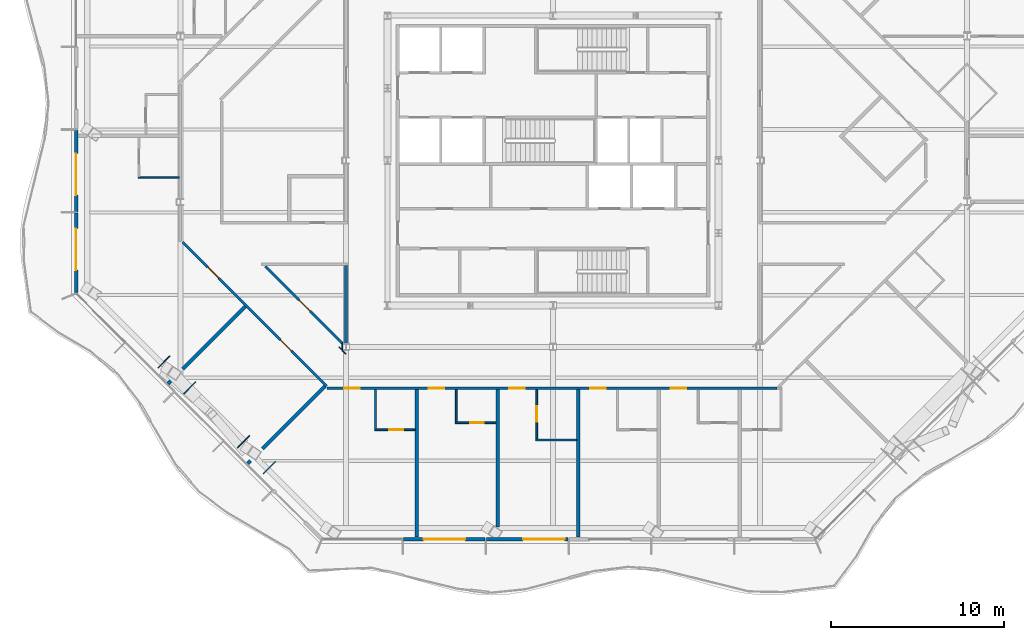
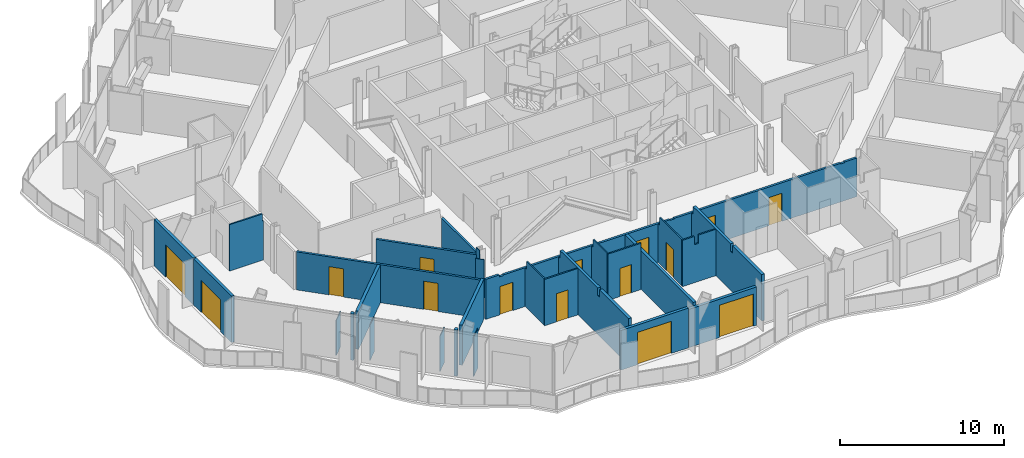
# One storey, part 7 of 21: 28 walls, 15 doors, 15 openings.
"""IFC4 building model written with IfcOpenShell, lengths in metres."""

from ifc_helpers import new_model, si_unit, direction, frame, frame_2d, origin, place, context, subcontext, project, spatial, polyline, rectangle, outline, extrude, material, layer, layer_set, type_object, element, fill, save


model = new_model("IFC4")

# Units and contexts
model_context = context("Model", 3, precision=1e-05, world=origin(), true_north=direction((0.0, 1.0)))
body_context = subcontext(model_context, "Body", "Model", "MODEL_VIEW")
ifc_project = project(units=[si_unit("LENGTHUNIT", "METRE"), si_unit("AREAUNIT", "SQUARE_METRE"), si_unit("VOLUMEUNIT", "CUBIC_METRE"), si_unit("PLANEANGLEUNIT", "RADIAN"), si_unit("MASSUNIT", "GRAM", prefix="KILO")], contexts=[model_context])

# Site, building, storey
site_placement = place(None, origin())
site = spatial("IfcSite", under=ifc_project, at=site_placement, CompositionType="ELEMENT")
building_placement = place(site_placement, origin())
building = spatial("IfcBuilding", under=site, at=building_placement, Name="Cairn Pilgrim Tower", CompositionType="ELEMENT")
storey_placement = place(building_placement, frame((0.0, 0.0, 179.39990234375)))
storey = spatial("IfcBuildingStorey", under=building, at=storey_placement, Name="L45", CompositionType="ELEMENT", Elevation=179.39990234375)

# Wall, opening, door
ifc_material_1 = material(Name="Bronze anodised aluminium insulated sandwich panel with mineral wool fill", Category="aluminium")
ifc_layer_1 = layer(ifc_material_1, 0.199951171875)
ifc_layer_set_1 = layer_set([ifc_layer_1], Name="BRONZE INFILL FRAME WALL 200")
wall_type_1 = type_object("IfcWallType", Name="BRONZE INFILL FRAME WALL 200", PredefinedType="NOTDEFINED", material=ifc_layer_set_1)
wall_1_placement = place(storey_placement, frame((-1.469970703125, -19.550048828125, 0.0), z_axis=(0.0, 0.0, 1.0), x_axis=(1.0, 0.0, 0.0)))
wall_1 = element("IfcWall", 1, at=wall_1_placement, inside=storey, type_object=wall_type_1, Name="Bronze infill frame wall IW-S2", PredefinedType="NOTDEFINED", context=body_context, shape_type="SweptSolid", body=[
    extrude(rectangle(XDim=4.739990234375, YDim=0.199951171875, at=frame_2d((2.3701171875, 0.0))), origin(), (0.0, 0.0, 1.0), 2.9501953125),
])
opening_1_placement = place(wall_1_placement, frame((1.169921875, 0.0, 0.0)))
opening_1 = element("IfcOpeningElement", 2, at=opening_1_placement, cuts=wall_1, Name="Opening 4518B", PredefinedType="OPENING", context=body_context, shape_type="SweptSolid", body=[
    extrude(rectangle(XDim=2.39990234375, YDim=2.39990234375, at=frame_2d((1.199951171875, 1.199951171875))), frame((0.0, 0.10986328125, 0.0), z_axis=(0.0, -1.0, 0.0), x_axis=(1.0, 0.0, 0.0)), (0.0, 0.0, 1.0), 0.219970703125),
])
ifc_material_2 = material(Name="Bronze anodised aluminium frame with tinted low-E glass", Category="aluminium")
door_type_1 = type_object("IfcDoorType", Name="BALCONY SLIDING DOOR 2400x2400", OperationType="DOUBLE_DOOR_SLIDING", PredefinedType="DOOR", material=ifc_material_2)
door_1_placement = place(opening_1_placement, origin())
door_1 = element("IfcDoor", 3, at=door_1_placement, inside=storey, type_object=door_type_1, Name="Balcony sliding door 4518B", OperationType="SINGLE_SWING_LEFT", OverallHeight=2.39990234375, OverallWidth=2.39990234375, PredefinedType="DOOR", context=body_context, shape_type="SweptSolid", body=[
    extrude(rectangle(XDim=2.39990234375, YDim=2.39990234375, at=frame_2d((1.199951171875, 1.199951171875))), frame((0.0, 0.02490234375, 0.0), z_axis=(0.0, -1.0, 0.0), x_axis=(1.0, 0.0, 0.0)), (0.0, 0.0, 1.0), 0.050048828125),
])
fill(opening_1, door_1)

wall_2_placement = place(storey_placement, frame((3.330078125, -19.550048828125, 0.0), z_axis=(0.0, 0.0, 1.0), x_axis=(1.0, 0.0, 0.0)))
wall_2 = element("IfcWall", 4, at=wall_2_placement, inside=storey, type_object=wall_type_1, Name="Bronze infill frame wall IW-S3", PredefinedType="NOTDEFINED", context=body_context, shape_type="SweptSolid", body=[
    extrude(rectangle(XDim=4.739990234375, YDim=0.199951171875, at=frame_2d((2.3701171875, 0.0))), origin(), (0.0, 0.0, 1.0), 2.85009765625),
])
opening_2_placement = place(wall_2_placement, frame((2.139892578125, 0.0, 0.0)))
opening_2 = element("IfcOpeningElement", 5, at=opening_2_placement, cuts=wall_2, Name="Opening 4519B", PredefinedType="OPENING", context=body_context, shape_type="SweptSolid", body=[
    extrude(rectangle(XDim=2.39990234375, YDim=2.39990234375, at=frame_2d((1.199951171875, 1.199951171875))), frame((0.0, 0.10986328125, 0.0), z_axis=(0.0, -1.0, 0.0), x_axis=(1.0, 0.0, 0.0)), (0.0, 0.0, 1.0), 0.219970703125),
])
door_2_placement = place(opening_2_placement, origin())
door_2 = element("IfcDoor", 6, at=door_2_placement, inside=storey, type_object=door_type_1, Name="Balcony sliding door 4519B", OperationType="SINGLE_SWING_LEFT", OverallHeight=2.39990234375, OverallWidth=2.39990234375, PredefinedType="DOOR", context=body_context, shape_type="SweptSolid", body=[
    extrude(rectangle(XDim=2.39990234375, YDim=2.39990234375, at=frame_2d((1.199951171875, 1.199951171875))), frame((0.0, 0.02490234375, 0.0), z_axis=(0.0, -1.0, 0.0), x_axis=(1.0, 0.0, 0.0)), (0.0, 0.0, 1.0), 0.050048828125),
])
fill(opening_2, door_2)

wall_3_placement = place(storey_placement, frame((-20.449951171875, 4.169921875, 0.0), z_axis=(0.0, 0.0, 1.0), x_axis=(0.0, -1.0, 0.0)))
wall_3 = element("IfcWall", 7, at=wall_3_placement, inside=storey, type_object=wall_type_1, Name="Bronze infill frame wall IW-W3", PredefinedType="NOTDEFINED", context=body_context, shape_type="SweptSolid", body=[
    extrude(rectangle(XDim=4.739990234375, YDim=0.199951171875, at=frame_2d((2.3701171875, 0.0))), origin(), (0.0, 0.0, 1.0), 3.4501953125),
])
opening_3_placement = place(wall_3_placement, frame((1.3701171875, 0.0, 0.0)))
opening_3 = element("IfcOpeningElement", 8, at=opening_3_placement, cuts=wall_3, Name="Opening 4515B", PredefinedType="OPENING", context=body_context, shape_type="SweptSolid", body=[
    extrude(rectangle(XDim=2.39990234375, YDim=2.39990234375, at=frame_2d((1.199951171875, 1.199951171875))), frame((0.0, 0.10986328125, 0.0), z_axis=(0.0, -1.0, 0.0), x_axis=(1.0, 0.0, 0.0)), (0.0, 0.0, 1.0), 0.219970703125),
])
door_3_placement = place(opening_3_placement, origin())
door_3 = element("IfcDoor", 9, at=door_3_placement, inside=storey, type_object=door_type_1, Name="Balcony sliding door 4515B", OperationType="SINGLE_SWING_LEFT", OverallHeight=2.39990234375, OverallWidth=2.39990234375, PredefinedType="DOOR", context=body_context, shape_type="SweptSolid", body=[
    extrude(rectangle(XDim=2.39990234375, YDim=2.39990234375, at=frame_2d((1.199951171875, 1.199951171875))), frame((0.0, 0.02490234375, 0.0), z_axis=(0.0, -1.0, 0.0), x_axis=(1.0, 0.0, 0.0)), (0.0, 0.0, 1.0), 0.050048828125),
])
fill(opening_3, door_3)

wall_4_placement = place(storey_placement, frame((-20.449951171875, -0.6298828125, 0.0), z_axis=(0.0, 0.0, 1.0), x_axis=(0.0, -1.0, 0.0)))
wall_4 = element("IfcWall", 10, at=wall_4_placement, inside=storey, type_object=wall_type_1, Name="Bronze infill frame wall IW-W4", PredefinedType="NOTDEFINED", context=body_context, shape_type="SweptSolid", body=[
    extrude(rectangle(XDim=4.62646484375, YDim=0.199951171875, at=frame_2d((2.313232421875, 0.0))), origin(), (0.0, 0.0, 1.0), 3.4501953125),
])
opening_4_placement = place(wall_4_placement, frame((0.91796875, 0.0, 0.0)))
opening_4 = element("IfcOpeningElement", 11, at=opening_4_placement, cuts=wall_4, Name="Opening 4515B2", PredefinedType="OPENING", context=body_context, shape_type="SweptSolid", body=[
    extrude(rectangle(XDim=2.39990234375, YDim=2.39990234375, at=frame_2d((1.199951171875, 1.199951171875))), frame((0.0, 0.10986328125, 0.0), z_axis=(0.0, -1.0, 0.0), x_axis=(1.0, 0.0, 0.0)), (0.0, 0.0, 1.0), 0.219970703125),
])
door_4_placement = place(opening_4_placement, origin())
door_4 = element("IfcDoor", 12, at=door_4_placement, inside=storey, type_object=door_type_1, Name="Balcony sliding door 4515B2", OperationType="SINGLE_SWING_LEFT", OverallHeight=2.39990234375, OverallWidth=2.39990234375, PredefinedType="DOOR", context=body_context, shape_type="SweptSolid", body=[
    extrude(rectangle(XDim=2.39990234375, YDim=2.39990234375, at=frame_2d((1.199951171875, 1.199951171875))), frame((0.0, 0.02490234375, 0.0), z_axis=(0.0, -1.0, 0.0), x_axis=(1.0, 0.0, 0.0)), (0.0, 0.0, 1.0), 0.050048828125),
])
fill(opening_4, door_4)

# Wall
ifc_material_3 = material(Name="Gypsum partition")
ifc_layer_2 = layer(ifc_material_3, 0.10009765625)
ifc_layer_set_2 = layer_set([ifc_layer_2], Name="PARTITION 100 DRYWALL")
wall_type_2 = type_object("IfcWallType", Name="PARTITION 100 DRYWALL", PredefinedType="PARTITIONING", material=ifc_layer_set_2)
wall_5_placement = place(storey_placement, frame((6.2119140625, -13.800048828125, 0.0), z_axis=(0.0, 0.0, 1.0), x_axis=(1.0, 0.0, 0.0)))
element("IfcWall", 13, at=wall_5_placement, inside=storey, type_object=wall_type_2, Name="PARTITION W009", PredefinedType="PARTITIONING", context=body_context, shape_type="SweptSolid", body=[
    extrude(outline(polyline([(0.0, 0.0), (2.35009765625, 0.0), (2.35009765625, 3.4501953125), (1.137939453125, 3.4501953125), (1.135986328125, 2.830078125), (0.837890625, 2.830078125), (0.8359375, 3.4501953125), (0.0, 3.4501953125), (0.0, 0.0)])), frame((0.0, 0.050048828125, 0.0), z_axis=(0.0, -1.0, 0.0), x_axis=(1.0, 0.0, 0.0)), (0.0, 0.0, 1.0), 0.10009765625),
])

# Wall, opening, door
wall_6_placement = place(storey_placement, frame((6.261962890625, -13.75, 0.0), z_axis=(0.0, 0.0, 1.0), x_axis=(0.0, 1.0, 0.0)))
wall_6 = element("IfcWall", 14, at=wall_6_placement, inside=storey, type_object=wall_type_2, Name="PARTITION W010", PredefinedType="PARTITIONING", context=body_context, shape_type="SweptSolid", body=[
    extrude(outline(polyline([(0.0, 0.0), (2.875, 0.0), (2.875, 2.880126953125), (2.695068359375, 2.880126953125), (2.693115234375, 3.4501953125), (0.0, 3.4501953125), (0.0, 0.0)])), frame((0.0, 0.050048828125, 0.0), z_axis=(0.0, -1.0, 0.0), x_axis=(1.0, 0.0, 0.0)), (0.0, 0.0, 1.0), 0.10009765625),
])
opening_5_placement = place(wall_6_placement, frame((1.0, 0.0, 0.0)))
opening_5 = element("IfcOpeningElement", 15, at=opening_5_placement, cuts=wall_6, Name="Opening 4519A", PredefinedType="OPENING", context=body_context, shape_type="SweptSolid", body=[
    extrude(rectangle(XDim=0.89990234375, YDim=2.10009765625, at=frame_2d((0.449951171875, 1.050048828125))), frame((0.0, 0.06005859375, 0.0), z_axis=(0.0, -1.0, 0.0), x_axis=(1.0, 0.0, 0.0)), (0.0, 0.0, 1.0), 0.1201171875),
])
ifc_material_4 = material(Name="Timber door leaf", Category="wood")
door_type_2 = type_object("IfcDoorType", Name="WC DOOR 900x2100", OperationType="NOTDEFINED", PredefinedType="DOOR", material=ifc_material_4)
door_5_placement = place(opening_5_placement, origin())
door_5 = element("IfcDoor", 16, at=door_5_placement, inside=storey, type_object=door_type_2, Name="DOOR 4519A", OperationType="SINGLE_SWING_LEFT", OverallHeight=2.10009765625, OverallWidth=0.89990234375, PredefinedType="DOOR", context=body_context, shape_type="SweptSolid", body=[
    extrude(rectangle(XDim=0.89990234375, YDim=2.10009765625, at=frame_2d((0.449951171875, 1.050048828125))), frame((0.0, 0.02490234375, 0.0), z_axis=(0.0, -1.0, 0.0), x_axis=(1.0, 0.0, 0.0)), (0.0, 0.0, 1.0), 0.050048828125),
])
fill(opening_5, door_5)

wall_7_placement = place(storey_placement, frame((-3.138916015625, -13.199951171875, 0.0), z_axis=(0.0, 0.0, 1.0), x_axis=(1.0, 0.0, 0.0)))
wall_7 = element("IfcWall", 17, at=wall_7_placement, inside=storey, type_object=wall_type_2, Name="PARTITION W011", PredefinedType="PARTITIONING", context=body_context, shape_type="SweptSolid", body=[
    extrude(rectangle(XDim=2.349853515625, YDim=0.10009765625, at=frame_2d((1.1748046875, 0.0))), origin(), (0.0, 0.0, 1.0), 3.4501953125),
])
opening_6_placement = place(wall_7_placement, frame((0.85009765625, 0.0, 0.0)))
opening_6 = element("IfcOpeningElement", 18, at=opening_6_placement, cuts=wall_7, Name="Opening 4517A", PredefinedType="OPENING", context=body_context, shape_type="SweptSolid", body=[
    extrude(rectangle(XDim=0.800048828125, YDim=2.10009765625, at=frame_2d((0.39990234375, 1.050048828125))), frame((0.0, 0.06005859375, 0.0), z_axis=(0.0, -1.0, 0.0), x_axis=(1.0, 0.0, 0.0)), (0.0, 0.0, 1.0), 0.1201171875),
])
door_type_3 = type_object("IfcDoorType", Name="WC DOOR 800x2100", OperationType="NOTDEFINED", PredefinedType="DOOR", material=ifc_material_4)
door_6_placement = place(opening_6_placement, frame((0.800048828125, 0.0, 0.0), z_axis=(0.0, 0.0, 1.0), x_axis=(-1.0, 0.0, 0.0)))
door_6 = element("IfcDoor", 19, at=door_6_placement, inside=storey, type_object=door_type_3, Name="DOOR 4517A", OperationType="SINGLE_SWING_LEFT", OverallHeight=2.10009765625, OverallWidth=0.800048828125, PredefinedType="DOOR", context=body_context, shape_type="SweptSolid", body=[
    extrude(rectangle(XDim=0.800048828125, YDim=2.10009765625, at=frame_2d((0.39990234375, 1.050048828125))), frame((0.0, 0.02490234375, 0.0), z_axis=(0.0, -1.0, 0.0), x_axis=(1.0, 0.0, 0.0)), (0.0, 0.0, 1.0), 0.050048828125),
])
fill(opening_6, door_6)

# Wall
wall_8_placement = place(storey_placement, frame((-3.089111328125, -13.14990234375, 0.0), z_axis=(0.0, 0.0, 1.0), x_axis=(0.0, 1.0, 0.0)))
element("IfcWall", 20, at=wall_8_placement, inside=storey, type_object=wall_type_2, Name="PARTITION W012", PredefinedType="PARTITIONING", context=body_context, shape_type="SweptSolid", body=[
    extrude(outline(polyline([(0.0, 0.0), (2.27490234375, 0.0), (2.27490234375, 2.880126953125), (2.094970703125, 2.880126953125), (2.093017578125, 3.4501953125), (0.0, 3.4501953125), (0.0, 0.0)])), frame((0.0, 0.050048828125, 0.0), z_axis=(0.0, -1.0, 0.0), x_axis=(1.0, 0.0, 0.0)), (0.0, 0.0, 1.0), 0.10009765625),
])

# Wall, opening, door
wall_9_placement = place(storey_placement, frame((1.537109375, -12.800048828125, 0.0), z_axis=(0.0, 0.0, 1.0), x_axis=(1.0, 0.0, 0.0)))
wall_9 = element("IfcWall", 21, at=wall_9_placement, inside=storey, type_object=wall_type_2, Name="PARTITION W017", PredefinedType="PARTITIONING", context=body_context, shape_type="SweptSolid", body=[
    extrude(rectangle(XDim=2.349853515625, YDim=0.10009765625, at=frame_2d((1.1748046875, 0.0))), origin(), (0.0, 0.0, 1.0), 3.4501953125),
])
opening_7_placement = place(wall_9_placement, frame((0.85009765625, 0.0, 0.0)))
opening_7 = element("IfcOpeningElement", 22, at=opening_7_placement, cuts=wall_9, Name="Opening 4518A", PredefinedType="OPENING", context=body_context, shape_type="SweptSolid", body=[
    extrude(rectangle(XDim=0.800048828125, YDim=2.10009765625, at=frame_2d((0.39990234375, 1.050048828125))), frame((0.0, 0.06005859375, 0.0), z_axis=(0.0, -1.0, 0.0), x_axis=(1.0, 0.0, 0.0)), (0.0, 0.0, 1.0), 0.1201171875),
])
door_7_placement = place(opening_7_placement, frame((0.800048828125, 0.0, 0.0), z_axis=(0.0, 0.0, 1.0), x_axis=(-1.0, 0.0, 0.0)))
door_7 = element("IfcDoor", 23, at=door_7_placement, inside=storey, type_object=door_type_3, Name="DOOR 4518A", OperationType="SINGLE_SWING_LEFT", OverallHeight=2.10009765625, OverallWidth=0.800048828125, PredefinedType="DOOR", context=body_context, shape_type="SweptSolid", body=[
    extrude(rectangle(XDim=0.800048828125, YDim=2.10009765625, at=frame_2d((0.39990234375, 1.050048828125))), frame((0.0, 0.02490234375, 0.0), z_axis=(0.0, -1.0, 0.0), x_axis=(1.0, 0.0, 0.0)), (0.0, 0.0, 1.0), 0.050048828125),
])
fill(opening_7, door_7)

# Walls
wall_10_placement = place(storey_placement, frame((1.5869140625, -12.75, 0.0), z_axis=(0.0, 0.0, 1.0), x_axis=(0.0, 1.0, 0.0)))
element("IfcWall", 24, at=wall_10_placement, inside=storey, type_object=wall_type_2, Name="PARTITION W018", PredefinedType="PARTITIONING", context=body_context, shape_type="SweptSolid", body=[
    extrude(outline(polyline([(0.0, 0.0), (1.875, 0.0), (1.875, 2.880126953125), (1.695068359375, 2.880126953125), (1.693115234375, 3.4501953125), (0.0, 3.4501953125), (0.0, 0.0)])), frame((0.0, 0.050048828125, 0.0), z_axis=(0.0, -1.0, 0.0), x_axis=(1.0, 0.0, 0.0)), (0.0, 0.0, 1.0), 0.10009765625),
])
wall_11_placement = place(storey_placement, frame((-16.85009765625, 1.425048828125, 0.0), z_axis=(0.0, 0.0, 1.0), x_axis=(1.0, 0.0, 0.0)))
element("IfcWall", 25, at=wall_11_placement, inside=storey, type_object=wall_type_2, Name="PARTITION W049", PredefinedType="PARTITIONING", context=body_context, shape_type="SweptSolid", body=[
    extrude(outline(polyline([(0.0, 0.0), (2.375, 0.0), (2.375, 2.93017578125), (2.300048828125, 2.93017578125), (2.298095703125, 3.4501953125), (0.0, 3.4501953125), (0.0, 0.0)])), frame((0.0, 0.050048828125, 0.0), z_axis=(0.0, -1.0, 0.0), x_axis=(1.0, 0.0, 0.0)), (0.0, 0.0, 1.0), 0.10009765625),
])

# Wall, openings, doors
ifc_layer_3 = layer(ifc_material_3, 0.14990234375)
ifc_layer_set_3 = layer_set([ifc_layer_3], Name="PARTITION 150 DRYWALL EI 60")
wall_type_3 = type_object("IfcWallType", Name="PARTITION 150 DRYWALL EI 60", PredefinedType="PARTITIONING", material=ifc_layer_set_3)
wall_12_placement = place(storey_placement, frame((-5.900146484375, -10.800048828125, 0.0), z_axis=(0.0, 0.0, 1.0), x_axis=(1.0, 0.0, 0.0)))
wall_12 = element("IfcWall", 26, at=wall_12_placement, inside=storey, type_object=wall_type_3, Name="PARTITION W021", PredefinedType="PARTITIONING", context=body_context, shape_type="SweptSolid", body=[
    extrude(outline(polyline([(0.0, 0.0), (26.09423828125, 0.0), (26.093994140625, 2.880126953125), (25.25, 2.880126953125), (25.248046875, 2.830078125), (24.9501953125, 2.830078125), (24.947998046875, 2.880126953125), (13.25, 2.880126953125), (13.248046875, 2.830078125), (12.9501953125, 2.830078125), (12.947998046875, 2.880126953125), (1.25, 2.880126953125), (1.248046875, 2.830078125), (0.9501953125, 2.830078125), (0.947998046875, 2.97998046875), (0.0, 2.97998046875), (0.0, 0.0)])), frame((0.0, 0.074951171875, 0.0), z_axis=(0.0, -1.0, 0.0), x_axis=(1.0, 0.0, 0.0)), (0.0, 0.0, 1.0), 0.14990234375),
])
opening_8_placement = place(wall_12_placement, frame((15.25, 0.0, 0.0)))
opening_8 = element("IfcOpeningElement", 27, at=opening_8_placement, cuts=wall_12, Name="Opening 4501", PredefinedType="OPENING", context=body_context, shape_type="SweptSolid", body=[
    extrude(rectangle(XDim=0.89990234375, YDim=2.10009765625, at=frame_2d((0.449951171875, 1.050048828125))), frame((0.0, 0.0849609375, 0.0), z_axis=(0.0, -1.0, 0.0), x_axis=(1.0, 0.0, 0.0)), (0.0, 0.0, 1.0), 0.169921875),
])
opening_9_placement = place(wall_12_placement, frame((19.926025390625, 0.0, 0.0)))
opening_9 = element("IfcOpeningElement", 28, at=opening_9_placement, cuts=wall_12, Name="Opening 4502", PredefinedType="OPENING", context=body_context, shape_type="SweptSolid", body=[
    extrude(rectangle(XDim=0.89990234375, YDim=2.10009765625, at=frame_2d((0.449951171875, 1.050048828125))), frame((0.0, 0.0849609375, 0.0), z_axis=(0.0, -1.0, 0.0), x_axis=(1.0, 0.0, 0.0)), (0.0, 0.0, 1.0), 0.169921875),
])
opening_10_placement = place(wall_12_placement, frame((1.008056640625, 0.0, 0.0)))
opening_10 = element("IfcOpeningElement", 29, at=opening_10_placement, cuts=wall_12, Name="Opening 4517", PredefinedType="OPENING", context=body_context, shape_type="SweptSolid", body=[
    extrude(rectangle(XDim=0.89990234375, YDim=2.10009765625, at=frame_2d((0.449951171875, 1.050048828125))), frame((0.0, 0.0849609375, 0.0), z_axis=(0.0, -1.0, 0.0), x_axis=(1.0, 0.0, 0.0)), (0.0, 0.0, 1.0), 0.169921875),
])
opening_11_placement = place(wall_12_placement, frame((5.899169921875, 0.0, 0.0)))
opening_11 = element("IfcOpeningElement", 30, at=opening_11_placement, cuts=wall_12, Name="Opening 4518", PredefinedType="OPENING", context=body_context, shape_type="SweptSolid", body=[
    extrude(rectangle(XDim=0.89990234375, YDim=2.10009765625, at=frame_2d((0.449951171875, 1.050048828125))), frame((0.0, 0.0849609375, 0.0), z_axis=(0.0, -1.0, 0.0), x_axis=(1.0, 0.0, 0.0)), (0.0, 0.0, 1.0), 0.169921875),
])
opening_12_placement = place(wall_12_placement, frame((10.573974609375, 0.0, 0.0)))
opening_12 = element("IfcOpeningElement", 31, at=opening_12_placement, cuts=wall_12, Name="Opening 4519", PredefinedType="OPENING", context=body_context, shape_type="SweptSolid", body=[
    extrude(rectangle(XDim=0.89990234375, YDim=2.10009765625, at=frame_2d((0.449951171875, 1.050048828125))), frame((0.0, 0.0849609375, 0.0), z_axis=(0.0, -1.0, 0.0), x_axis=(1.0, 0.0, 0.0)), (0.0, 0.0, 1.0), 0.169921875),
])
door_type_4 = type_object("IfcDoorType", Name="ROOM DOOR 900x2100 FD30S", OperationType="NOTDEFINED", PredefinedType="DOOR", material=ifc_material_4)
door_8_placement = place(opening_8_placement, frame((0.89990234375, 0.0, 0.0), z_axis=(0.0, 0.0, 1.0), x_axis=(-1.0, 0.0, 0.0)))
door_8 = element("IfcDoor", 32, at=door_8_placement, inside=storey, type_object=door_type_4, Name="DOOR 4501", OperationType="SINGLE_SWING_RIGHT", OverallHeight=2.10009765625, OverallWidth=0.89990234375, PredefinedType="DOOR", context=body_context, shape_type="SweptSolid", body=[
    extrude(rectangle(XDim=0.89990234375, YDim=2.10009765625, at=frame_2d((0.449951171875, 1.050048828125))), frame((0.0, 0.02490234375, 0.0), z_axis=(0.0, -1.0, 0.0), x_axis=(1.0, 0.0, 0.0)), (0.0, 0.0, 1.0), 0.050048828125),
])
fill(opening_8, door_8)
door_9_placement = place(opening_9_placement, frame((0.89990234375, 0.0, 0.0), z_axis=(0.0, 0.0, 1.0), x_axis=(-1.0, 0.0, 0.0)))
door_9 = element("IfcDoor", 33, at=door_9_placement, inside=storey, type_object=door_type_4, Name="DOOR 4502", OperationType="SINGLE_SWING_RIGHT", OverallHeight=2.10009765625, OverallWidth=0.89990234375, PredefinedType="DOOR", context=body_context, shape_type="SweptSolid", body=[
    extrude(rectangle(XDim=0.89990234375, YDim=2.10009765625, at=frame_2d((0.449951171875, 1.050048828125))), frame((0.0, 0.02490234375, 0.0), z_axis=(0.0, -1.0, 0.0), x_axis=(1.0, 0.0, 0.0)), (0.0, 0.0, 1.0), 0.050048828125),
])
fill(opening_9, door_9)
door_10_placement = place(opening_10_placement, frame((0.89990234375, 0.0, 0.0), z_axis=(0.0, 0.0, 1.0), x_axis=(-1.0, 0.0, 0.0)))
door_10 = element("IfcDoor", 34, at=door_10_placement, inside=storey, type_object=door_type_4, Name="DOOR 4517", OperationType="SINGLE_SWING_LEFT", OverallHeight=2.10009765625, OverallWidth=0.89990234375, PredefinedType="DOOR", context=body_context, shape_type="SweptSolid", body=[
    extrude(rectangle(XDim=0.89990234375, YDim=2.10009765625, at=frame_2d((0.449951171875, 1.050048828125))), frame((0.0, 0.02490234375, 0.0), z_axis=(0.0, -1.0, 0.0), x_axis=(1.0, 0.0, 0.0)), (0.0, 0.0, 1.0), 0.050048828125),
])
fill(opening_10, door_10)
door_11_placement = place(opening_11_placement, frame((0.89990234375, 0.0, 0.0), z_axis=(0.0, 0.0, 1.0), x_axis=(-1.0, 0.0, 0.0)))
door_11 = element("IfcDoor", 35, at=door_11_placement, inside=storey, type_object=door_type_4, Name="DOOR 4518", OperationType="SINGLE_SWING_LEFT", OverallHeight=2.10009765625, OverallWidth=0.89990234375, PredefinedType="DOOR", context=body_context, shape_type="SweptSolid", body=[
    extrude(rectangle(XDim=0.89990234375, YDim=2.10009765625, at=frame_2d((0.449951171875, 1.050048828125))), frame((0.0, 0.02490234375, 0.0), z_axis=(0.0, -1.0, 0.0), x_axis=(1.0, 0.0, 0.0)), (0.0, 0.0, 1.0), 0.050048828125),
])
fill(opening_11, door_11)
door_12_placement = place(opening_12_placement, frame((0.89990234375, 0.0, 0.0), z_axis=(0.0, 0.0, 1.0), x_axis=(-1.0, 0.0, 0.0)))
door_12 = element("IfcDoor", 36, at=door_12_placement, inside=storey, type_object=door_type_4, Name="DOOR 4519", OperationType="SINGLE_SWING_LEFT", OverallHeight=2.10009765625, OverallWidth=0.89990234375, PredefinedType="DOOR", context=body_context, shape_type="SweptSolid", body=[
    extrude(rectangle(XDim=0.89990234375, YDim=2.10009765625, at=frame_2d((0.449951171875, 1.050048828125))), frame((0.0, 0.02490234375, 0.0), z_axis=(0.0, -1.0, 0.0), x_axis=(1.0, 0.0, 0.0)), (0.0, 0.0, 1.0), 0.050048828125),
])
fill(opening_12, door_12)

wall_13_placement = place(storey_placement, frame((-5.922119140625, -10.672119140625, 0.0), z_axis=(0.0, 0.0, 1.0), x_axis=(-0.707096443746, 0.707117118476, 0.0)))
wall_13 = element("IfcWall", 37, at=wall_13_placement, inside=storey, type_object=wall_type_3, Name="PARTITION W023", PredefinedType="PARTITIONING", context=body_context, shape_type="SweptSolid", body=[
    extrude(rectangle(XDim=11.80859375, YDim=0.14990234375, at=frame_2d((5.904296875, 0.0))), origin(), (0.0, 0.0, 1.0), 2.830078125),
])
opening_13_placement = place(wall_13_placement, frame((8.845458984375, 0.0, 0.0)))
opening_13 = element("IfcOpeningElement", 38, at=opening_13_placement, cuts=wall_13, Name="Opening 4515", PredefinedType="OPENING", context=body_context, shape_type="SweptSolid", body=[
    extrude(rectangle(XDim=0.89990234375, YDim=2.10009765625, at=frame_2d((0.449951171875, 1.050048828125))), frame((0.0, 0.0849609375, 0.0), z_axis=(0.0, -1.0, 0.0), x_axis=(1.0, 0.0, 0.0)), (0.0, 0.0, 1.0), 0.169921875),
])
opening_14_placement = place(wall_13_placement, frame((2.882080078125, 0.0, 0.0)))
opening_14 = element("IfcOpeningElement", 39, at=opening_14_placement, cuts=wall_13, Name="Opening 4516", PredefinedType="OPENING", context=body_context, shape_type="SweptSolid", body=[
    extrude(rectangle(XDim=0.89990234375, YDim=2.10009765625, at=frame_2d((0.449951171875, 1.050048828125))), frame((0.0, 0.0849609375, 0.0), z_axis=(0.0, -1.0, 0.0), x_axis=(1.0, 0.0, 0.0)), (0.0, 0.0, 1.0), 0.169921875),
])
door_13_placement = place(opening_13_placement, origin())
door_13 = element("IfcDoor", 40, at=door_13_placement, inside=storey, type_object=door_type_4, Name="DOOR 4515", OperationType="SINGLE_SWING_LEFT", OverallHeight=2.10009765625, OverallWidth=0.89990234375, PredefinedType="DOOR", context=body_context, shape_type="SweptSolid", body=[
    extrude(rectangle(XDim=0.89990234375, YDim=2.10009765625, at=frame_2d((0.449951171875, 1.050048828125))), frame((0.0, 0.02490234375, 0.0), z_axis=(0.0, -1.0, 0.0), x_axis=(1.0, 0.0, 0.0)), (0.0, 0.0, 1.0), 0.050048828125),
])
fill(opening_13, door_13)
door_type_5 = type_object("IfcDoorType", Name="SERVICE DOOR 900x2100 FD30S", OperationType="NOTDEFINED", PredefinedType="DOOR", material=ifc_material_4)
door_14_placement = place(opening_14_placement, origin())
door_14 = element("IfcDoor", 41, at=door_14_placement, inside=storey, type_object=door_type_5, Name="DOOR 4516", OperationType="SINGLE_SWING_LEFT", OverallHeight=2.10009765625, OverallWidth=0.89990234375, PredefinedType="DOOR", context=body_context, shape_type="SweptSolid", body=[
    extrude(rectangle(XDim=0.89990234375, YDim=2.10009765625, at=frame_2d((0.449951171875, 1.050048828125))), frame((0.0, 0.02490234375, 0.0), z_axis=(0.0, -1.0, 0.0), x_axis=(1.0, 0.0, 0.0)), (0.0, 0.0, 1.0), 0.050048828125),
])
fill(opening_14, door_14)

# Wall, opening, door
wall_14_placement = place(storey_placement, frame((-4.998046875, -8.201904296875, 0.0), z_axis=(0.0, 0.0, 1.0), x_axis=(-0.707106781187, 0.707106781187, 0.0)))
wall_14 = element("IfcWall", 42, at=wall_14_placement, inside=storey, type_object=wall_type_3, Name="PARTITION W028", PredefinedType="PARTITIONING", context=body_context, shape_type="SweptSolid", body=[
    extrude(rectangle(XDim=6.326904296875, YDim=0.14990234375, at=frame_2d((3.16357421875, 0.0))), origin(), (0.0, 0.0, 1.0), 2.93017578125),
])
opening_15_placement = place(wall_14_placement, frame((2.664306640625, 0.0, 0.0)))
opening_15 = element("IfcOpeningElement", 43, at=opening_15_placement, cuts=wall_14, Name="Opening 4528", PredefinedType="OPENING", context=body_context, shape_type="SweptSolid", body=[
    extrude(rectangle(XDim=0.89990234375, YDim=2.10009765625, at=frame_2d((0.449951171875, 1.050048828125))), frame((0.0, 0.0849609375, 0.0), z_axis=(0.0, -1.0, 0.0), x_axis=(1.0, 0.0, 0.0)), (0.0, 0.0, 1.0), 0.169921875),
])
door_15_placement = place(opening_15_placement, frame((0.89990234375, 0.0, 0.0), z_axis=(0.0, 0.0, 1.0), x_axis=(-1.0, 0.0, 0.0)))
door_15 = element("IfcDoor", 44, at=door_15_placement, inside=storey, type_object=door_type_5, Name="DOOR 4528", OperationType="SINGLE_SWING_RIGHT", OverallHeight=2.10009765625, OverallWidth=0.89990234375, PredefinedType="DOOR", context=body_context, shape_type="SweptSolid", body=[
    extrude(rectangle(XDim=0.89990234375, YDim=2.10009765625, at=frame_2d((0.449951171875, 1.050048828125))), frame((0.0, 0.02490234375, 0.0), z_axis=(0.0, -1.0, 0.0), x_axis=(1.0, 0.0, 0.0)), (0.0, 0.0, 1.0), 0.050048828125),
])
fill(opening_15, door_15)

# Walls
wall_15_placement = place(storey_placement, frame((-4.800048828125, -8.20361328125, 0.0), z_axis=(0.0, 0.0, 1.0), x_axis=(0.0, 1.0, 0.0)))
element("IfcWall", 45, at=wall_15_placement, inside=storey, type_object=wall_type_3, Name="PARTITION W029", PredefinedType="PARTITIONING", context=body_context, shape_type="SweptSolid", body=[
    extrude(rectangle(XDim=4.528564453125, YDim=0.14990234375, at=frame_2d((2.26416015625, 0.0))), origin(), (0.0, 0.0, 1.0), 2.830078125),
])
ifc_layer_4 = layer(ifc_material_3, 0.050048828125)
ifc_layer_set_4 = layer_set([ifc_layer_4], Name="PARTITION 50 DRYWALL EI 60")
wall_type_4 = type_object("IfcWallType", Name="PARTITION 50 DRYWALL EI 60", PredefinedType="PARTITIONING", material=ifc_layer_set_4)
wall_16_placement = place(storey_placement, frame((-11.08544921875, -14.24658203125, 0.0), z_axis=(0.0, 0.0, 1.0), x_axis=(0.707106781187, 0.707106781187, 0.0)))
element("IfcWall", 46, at=wall_16_placement, inside=storey, type_object=wall_type_4, Name="COLUMN CASING WC01", PredefinedType="PARTITIONING", context=body_context, shape_type="SweptSolid", body=[
    extrude(rectangle(XDim=0.979248046875, YDim=0.050048828125, at=frame_2d((0.48974609375, 0.0))), origin(), (0.0, 0.0, 1.0), 2.630126953125),
])
wall_17_placement = place(storey_placement, frame((-9.5849609375, -15.7470703125, 0.0), z_axis=(0.0, 0.0, 1.0), x_axis=(0.707106781187, 0.707106781187, 0.0)))
element("IfcWall", 47, at=wall_17_placement, inside=storey, type_object=wall_type_4, Name="COLUMN CASING WC02", PredefinedType="PARTITIONING", context=body_context, shape_type="SweptSolid", body=[
    extrude(rectangle(XDim=0.979248046875, YDim=0.050048828125, at=frame_2d((0.48974609375, 0.0))), origin(), (0.0, 0.0, 1.0), 2.93017578125),
])
for number, where, z_axis, x_axis, name in (
    (48, (-15.709716796875, -9.62255859375, 0.0), (0.0, 0.0, 1.0), (0.70723141444, 0.706982125961, 0.0), "COLUMN CASING WC06"),
    (49, (-14.209228515625, -11.122802734375, 0.0), (0.0, 0.0, 1.0), (0.707106781187, 0.707106781187, 0.0), "COLUMN CASING WC07"),
):
    element("IfcWall", number, at=place(storey_placement, frame(where, z_axis=z_axis, x_axis=x_axis)), inside=storey, type_object=wall_type_4, Name=name, PredefinedType="PARTITIONING", context=body_context, shape_type="SweptSolid", body=[
        extrude(rectangle(XDim=0.979248046875, YDim=0.050048828125, at=frame_2d((0.48974609375, 0.0))), origin(), (0.0, 0.0, 1.0), 2.630126953125),
    ])
wall_18_placement = place(storey_placement, frame((-5.0244140625, -8.596435546875, 0.0), z_axis=(0.0, 0.0, 1.0), x_axis=(0.0, 1.0, 0.0)))
element("IfcWall", 50, at=wall_18_placement, inside=storey, type_object=wall_type_4, Name="COLUMN CASING WC10", PredefinedType="PARTITIONING", context=body_context, shape_type="SweptSolid", body=[
    extrude(rectangle(XDim=0.392822265625, YDim=0.050048828125, at=frame_2d((0.1962890625, 0.0))), origin(), (0.0, 0.0, 1.0), 3.4501953125),
])
wall_19_placement = place(storey_placement, frame((-4.817626953125, -8.813720703125, 0.0), z_axis=(0.0, 0.0, 1.0), x_axis=(-0.707106781187, 0.707106781187, 0.0)))
element("IfcWall", 51, at=wall_19_placement, inside=storey, type_object=wall_type_4, Name="COLUMN CASING WC12", PredefinedType="PARTITIONING", context=body_context, shape_type="SweptSolid", body=[
    extrude(rectangle(XDim=0.56005859375, YDim=0.050048828125, at=frame_2d((0.280029296875, 0.0))), origin(), (0.0, 0.0, 1.0), 2.830078125),
])
ifc_layer_5 = layer(ifc_material_3, 0.199951171875)
ifc_layer_set_5 = layer_set([ifc_layer_5], Name="SHAFT WALL 200 GYPSUM EI 60")
wall_type_5 = type_object("IfcWallType", Name="SHAFT WALL 200 GYPSUM EI 60", PredefinedType="PARTITIONING", material=ifc_layer_set_5)
for number, where, z_axis, x_axis, name in (
    (52, (-0.68896484375, -19.419921875, 0.0), (0.0, 0.0, 1.0), (0.0, 1.0, 0.0), "PARTITION W001"),
    (53, (8.662109375, -19.419921875, 0.0), (0.0, 0.0, 1.0), (0.0, 1.0, 0.0), "PARTITION W002"),
):
    element("IfcWall", number, at=place(storey_placement, frame(where, z_axis=z_axis, x_axis=x_axis)), inside=storey, type_object=wall_type_5, Name=name, PredefinedType="PARTITIONING", context=body_context, shape_type="SweptSolid", body=[
        extrude(outline(polyline([(0.0, 0.0), (8.544921875, 0.0), (8.544921875, 2.880126953125), (8.364990234375, 2.880126953125), (8.363037109375, 3.4501953125), (3.77490234375, 3.4501953125), (3.77294921875, 2.880126953125), (3.56494140625, 2.880126953125), (3.56298828125, 3.4501953125), (0.0, 3.4501953125), (0.0, 0.0)])), frame((0.0, 0.10009765625, 0.0), z_axis=(0.0, -1.0, 0.0), x_axis=(1.0, 0.0, 0.0)), (0.0, 0.0, 1.0), 0.199951171875),
    ])
wall_20_placement = place(storey_placement, frame((3.987060546875, -19.181640625, 0.0), z_axis=(0.0, 0.0, 1.0), x_axis=(0.0, 1.0, 0.0)))
element("IfcWall", 54, at=wall_20_placement, inside=storey, type_object=wall_type_5, Name="PARTITION W004", PredefinedType="PARTITIONING", context=body_context, shape_type="SweptSolid", body=[
    extrude(outline(polyline([(0.333740234375, 0.0), (8.306640625, 0.0), (8.306640625, 0.862548828125), (8.306640625, 1.72509765625), (8.306640625, 2.587646484375), (8.306640625, 2.880126953125), (0.0, 2.880126953125), (0.0, 2.587646484375), (0.318603515625, 1.72509765625), (0.333740234375, 0.862548828125), (0.333740234375, 0.0)])), frame((0.0, 0.10009765625, 0.0), z_axis=(0.0, -1.0, 0.0), x_axis=(1.0, 0.0, 0.0)), (0.0, 0.0, 1.0), 0.199951171875),
])
wall_21_placement = place(storey_placement, frame((-10.499755859375, -15.161865234375, 0.0), z_axis=(0.0, 0.0, 1.0), x_axis=(0.707106781187, 0.707106781187, 0.0)))
element("IfcWall", 55, at=wall_21_placement, inside=storey, type_object=wall_type_5, Name="PARTITION W006", PredefinedType="PARTITIONING", context=body_context, shape_type="SweptSolid", body=[
    extrude(rectangle(XDim=0.233154296875, YDim=0.199951171875, at=frame_2d((0.11669921875, 0.0))), origin(), (0.0, 0.0, 1.0), 3.4501953125),
])
wall_22_placement = place(storey_placement, frame((-9.642578125, -14.3046875, 0.0), z_axis=(0.0, 0.0, 1.0), x_axis=(0.707082960446, 0.707130601125, 0.0)))
element("IfcWall", 56, at=wall_22_placement, inside=storey, type_object=wall_type_5, Name="PARTITION W007", PredefinedType="PARTITIONING", context=body_context, shape_type="SweptSolid", body=[
    extrude(rectangle(XDim=5.12451171875, YDim=0.199951171875, at=frame_2d((2.562255859375, 0.0))), origin(), (0.0, 0.0, 1.0), 2.97998046875),
])
wall_23_placement = place(storey_placement, frame((-15.123779296875, -10.537841796875, 0.0), z_axis=(0.0, 0.0, 1.0), x_axis=(0.707106781187, 0.707106781187, 0.0)))
element("IfcWall", 57, at=wall_23_placement, inside=storey, type_object=wall_type_5, Name="PARTITION W025", PredefinedType="PARTITIONING", context=body_context, shape_type="SweptSolid", body=[
    extrude(rectangle(XDim=0.233154296875, YDim=0.199951171875, at=frame_2d((0.11669921875, 0.0))), origin(), (0.0, 0.0, 1.0), 3.4501953125),
])
wall_24_placement = place(storey_placement, frame((-14.2666015625, -9.6806640625, 0.0), z_axis=(0.0, 0.0, 1.0), x_axis=(0.707082960446, 0.707130601125, 0.0)))
element("IfcWall", 58, at=wall_24_placement, inside=storey, type_object=wall_type_5, Name="PARTITION W026", PredefinedType="PARTITIONING", context=body_context, shape_type="SweptSolid", body=[
    extrude(rectangle(XDim=5.12451171875, YDim=0.199951171875, at=frame_2d((2.562255859375, 0.0))), origin(), (0.0, 0.0, 1.0), 2.830078125),
])

save(model, "model.ifc")
